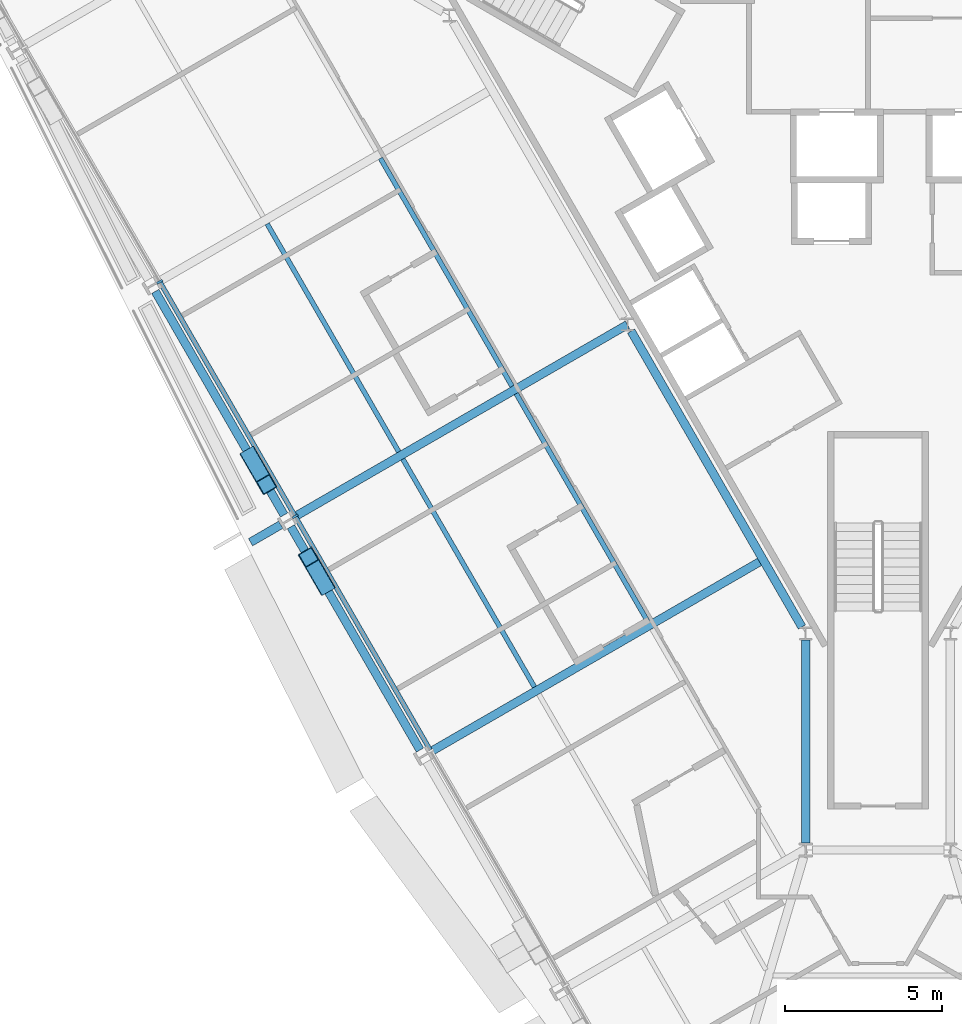
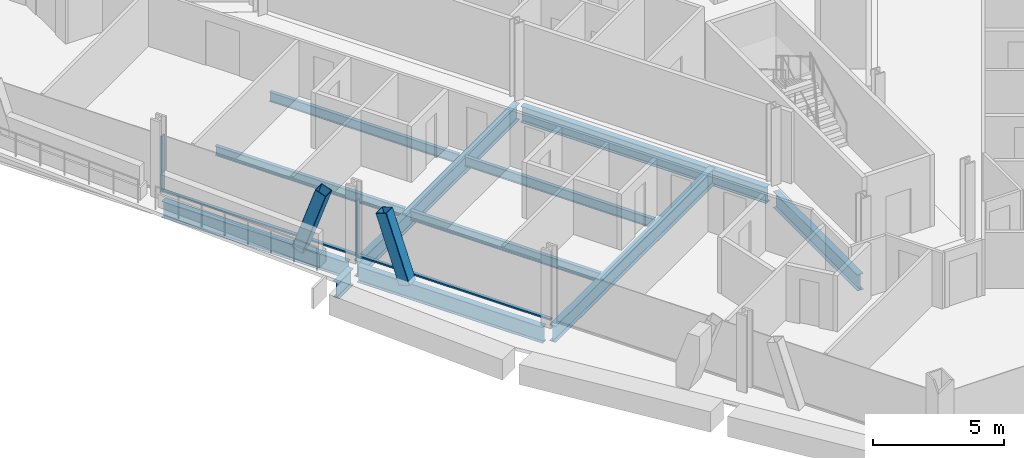
# One storey, part 4 of 18: 11 beams, 6 members, 1 element without a shape of its own.
"""IFC4 building model written with IfcOpenShell, lengths in metres."""

from ifc_helpers import new_model, si_unit, direction, frame, origin, origin_2d, place, context, subcontext, project, spatial, rectangle, hollow_rectangle, i_section, extrude, material, material_profile, profile_set, type_object, element, aggregate, save


model = new_model("IFC4")

# Units and contexts
model_context = context("Model", 3, precision=1e-05, world=origin(), true_north=direction((0.0, 1.0)))
body_context = subcontext(model_context, "Body", "Model", "MODEL_VIEW")
ifc_project = project(units=[si_unit("LENGTHUNIT", "METRE"), si_unit("AREAUNIT", "SQUARE_METRE"), si_unit("VOLUMEUNIT", "CUBIC_METRE"), si_unit("PLANEANGLEUNIT", "RADIAN"), si_unit("MASSUNIT", "GRAM", prefix="KILO")], contexts=[model_context])

# Site, building, storey
site_placement = place(None, origin())
site = spatial("IfcSite", under=ifc_project, at=site_placement, CompositionType="ELEMENT")
building_placement = place(site_placement, origin())
building = spatial("IfcBuilding", under=site, at=building_placement, Name="Verrane Prism Tower", CompositionType="ELEMENT")
storey_placement = place(building_placement, frame((0.0, 0.0, 80.0)))
storey = spatial("IfcBuildingStorey", under=building, at=storey_placement, Name="L18", CompositionType="ELEMENT", Elevation=80.0)

# Beams
ifc_material_1 = material(Name="Steel A992", Category="steel")
ifc_material_profile_1 = material_profile(ifc_material_1, i_section(OverallWidth=0.2666015625, OverallDepth=0.7568359375, WebThickness=0.013916015625, FlangeThickness=0.019287109375, FilletRadius=0.0166015625, at=origin_2d()), Name="W30x108")
ifc_profile_set_1 = profile_set([ifc_material_profile_1], Name="Steel A992")
beam_type_1 = type_object("IfcBeamType", Name="Core ring girder W30x108", PredefinedType="BEAM", material=ifc_profile_set_1)
beam_1_placement = place(storey_placement, frame((-7.849609375, -4.808349609375, -0.62841796875), z_axis=(0.500013103396, -0.866017838403, 0.0), x_axis=(0.866017838403, 0.500013103396, 0.0)))
element("IfcBeam", 1, at=beam_1_placement, inside=storey, type_object=beam_type_1, Name="Core ring girder L18", PredefinedType="BEAM", context=body_context, shape_type="SweptSolid", body=[
    extrude(i_section(OverallWidth=0.2666015625, OverallDepth=0.7568359375, WebThickness=0.013916015625, FlangeThickness=0.019287109375, FilletRadius=0.0166015625, at=origin_2d()), origin(), (0.0, 0.0, 1.0), 10.858154296875),
])
beam_2_placement = place(storey_placement, frame((-2.300048828125, -14.62841796875, -0.62841796875), z_axis=(0.0, -1.0, 0.0), x_axis=(1.0, 0.0, 0.0)))
element("IfcBeam", 2, at=beam_2_placement, inside=storey, type_object=beam_type_1, Name="Core ring girder L18", PredefinedType="BEAM", context=body_context, shape_type="SweptSolid", body=[
    extrude(i_section(OverallWidth=0.2666015625, OverallDepth=0.7568359375, WebThickness=0.013916015625, FlangeThickness=0.019287109375, FilletRadius=0.0166015625, at=origin_2d()), origin(), (0.0, 0.0, 1.0), 6.4443359375),
])

# Members
ifc_material_2 = material(Name="Steel A1085 Grade A", Category="steel")
ifc_material_profile_2 = material_profile(ifc_material_2, hollow_rectangle(XDim=0.508056640625, YDim=0.508056640625, WallThickness=0.025390625, InnerFilletRadius=0.0126953125, OuterFilletRadius=0.0380859375, at=origin_2d()), Name="HSS20x20x1")
ifc_profile_set_2 = profile_set([ifc_material_profile_2], Name="Steel A1085 Grade A")
member_type_1 = type_object("IfcMemberType", Name="Facade brace HSS20x20x1", PredefinedType="BRACE", material=ifc_profile_set_2)
member_1_placement = place(storey_placement, frame((-19.95068359375, -8.790771484375, -0.24267578125), z_axis=(0.161768620723, -0.280772589457, 0.946043163053), x_axis=(0.866473393916, 0.499223254302, 0.0)))
element("IfcMember", 3, at=member_1_placement, inside=storey, type_object=member_type_1, Name="Facade brace SW2 L18", PredefinedType="BRACE", context=body_context, shape_type="SweptSolid", body=[
    extrude(hollow_rectangle(XDim=0.508056640625, YDim=0.508056640625, WallThickness=0.025390625, InnerFilletRadius=0.0126953125, OuterFilletRadius=0.0380859375, at=origin_2d()), origin(), (0.0, 0.0, 1.0), 3.179931640625),
])
member_2_placement = place(storey_placement, frame((-17.58642578125, -12.88671875, -0.24267578125), z_axis=(-0.162156397274, 0.28047221555, 0.946065874624), x_axis=(-0.865723599359, -0.500522376635, 0.0)))
element("IfcMember", 4, at=member_2_placement, inside=storey, type_object=member_type_1, Name="Facade brace SW3 L18", PredefinedType="BRACE", context=body_context, shape_type="SweptSolid", body=[
    extrude(hollow_rectangle(XDim=0.508056640625, YDim=0.508056640625, WallThickness=0.025390625, InnerFilletRadius=0.0126953125, OuterFilletRadius=0.0380859375, at=origin_2d()), origin(), (0.0, 0.0, 1.0), 3.1796875),
])

# Beams
ifc_material_3 = material(Name="Steel A992", Category="steel")
ifc_material_profile_3 = material_profile(ifc_material_3, i_section(OverallWidth=0.15234375, OverallDepth=0.449462890625, WebThickness=0.007568359375, FlangeThickness=0.0107421875, FilletRadius=0.01025390625, at=origin_2d()), Name="W18x35")
ifc_profile_set_3 = profile_set([ifc_material_profile_3], Name="Steel A992")
beam_type_2 = type_object("IfcBeamType", Name="Floor beam W18x35", PredefinedType="BEAM", material=ifc_profile_set_3)
beam_3_placement = place(storey_placement, frame((-11.632568359375, -6.56201171875, -0.384765625), z_axis=(-0.499990225416, 0.86603104707, 0.0), x_axis=(-0.86603104707, -0.499990225416, 0.0)))
element("IfcBeam", 5, at=beam_3_placement, inside=storey, type_object=beam_type_2, Name="Floor beam L18", PredefinedType="BEAM", context=body_context, shape_type="SweptSolid", body=[
    extrude(i_section(OverallWidth=0.15234375, OverallDepth=0.449462890625, WebThickness=0.007568359375, FlangeThickness=0.0107421875, FilletRadius=0.01025390625, at=origin_2d()), origin(), (0.0, 0.0, 1.0), 8.365966796875),
])
beam_4_placement = place(storey_placement, frame((-15.234619140625, -8.64306640625, -0.384765625), z_axis=(-0.500002862074, 0.866023751359, 0.0), x_axis=(-0.866023751359, -0.500002862074, 0.0)))
element("IfcBeam", 6, at=beam_4_placement, inside=storey, type_object=beam_type_2, Name="Floor beam L18", PredefinedType="BEAM", context=body_context, shape_type="SweptSolid", body=[
    extrude(i_section(OverallWidth=0.15234375, OverallDepth=0.449462890625, WebThickness=0.007568359375, FlangeThickness=0.0107421875, FilletRadius=0.01025390625, at=origin_2d()), origin(), (0.0, 0.0, 1.0), 8.36572265625),
])
beam_5_placement = place(storey_placement, frame((-7.318603515625, -14.0419921875, -0.384765625), z_axis=(-0.499989320658, 0.866031569417, 0.0), x_axis=(-0.866031569417, -0.499989320658, 0.0)))
element("IfcBeam", 7, at=beam_5_placement, inside=storey, type_object=beam_type_2, Name="Floor beam L18", PredefinedType="BEAM", context=body_context, shape_type="SweptSolid", body=[
    extrude(i_section(OverallWidth=0.15234375, OverallDepth=0.449462890625, WebThickness=0.007568359375, FlangeThickness=0.0107421875, FilletRadius=0.01025390625, at=origin_2d()), origin(), (0.0, 0.0, 1.0), 8.367919921875),
])
beam_6_placement = place(storey_placement, frame((-10.92041015625, -16.119873046875, -0.384765625), z_axis=(-0.499984359078, 0.866034433887, 0.0), x_axis=(-0.866034433887, -0.499984359078, 0.0)))
element("IfcBeam", 8, at=beam_6_placement, inside=storey, type_object=beam_type_2, Name="Floor beam L18", PredefinedType="BEAM", context=body_context, shape_type="SweptSolid", body=[
    extrude(i_section(OverallWidth=0.15234375, OverallDepth=0.449462890625, WebThickness=0.007568359375, FlangeThickness=0.0107421875, FilletRadius=0.01025390625, at=origin_2d()), origin(), (0.0, 0.0, 1.0), 8.364990234375),
])

# Curtain wall, members
ifc_material_4 = material(Name="Aluminium framed insulated glazing", Category="aluminium")
curtain_wall_type = type_object("IfcCurtainWallType", Name="Curtain wall CW-A 8400 module", PredefinedType="NOTDEFINED", material=ifc_material_4)
curtain_wall_placement = place(storey_placement, origin())
curtain_wall = element("IfcCurtainWall", 9, at=curtain_wall_placement, inside=storey, type_object=curtain_wall_type, Name="Glazed curtain wall south-west face L18", PredefinedType="NOTDEFINED")
ifc_material_5 = material(Name="Aluminium alloy 6063-T6", Category="aluminium")
ifc_material_profile_4 = material_profile(ifc_material_5, rectangle(XDim=0.199951171875, YDim=0.070068359375, at=origin_2d()), Name="Mullion 70x200 aluminium")
ifc_profile_set_4 = profile_set([ifc_material_profile_4], Name="Aluminium alloy 6063-T6")
member_type_2 = type_object("IfcMemberType", Name="Mullion 70x200 aluminium", PredefinedType="MULLION", material=ifc_profile_set_4)
member_3_placement = place(storey_placement, frame((-22.828857421875, -3.2412109375, 0.0), z_axis=(0.0, 0.0, 1.0), x_axis=(0.866025845387, 0.499999235121, 0.0)))
member_3 = element("IfcMember", 10, at=member_3_placement, type_object=member_type_2, Name="CW17.4 mullion 3", PredefinedType="MULLION", context=body_context, shape_type="SweptSolid", body=[
    extrude(rectangle(XDim=0.199951171875, YDim=0.070068359375, at=origin_2d()), origin(), (0.0, 0.0, 1.0), 2.61279296875),
])
member_4_placement = place(storey_placement, frame((-18.525146484375, -10.695556640625, 0.0), z_axis=(0.0, 0.0, 1.0), x_axis=(0.866025845387, 0.499999235121, 0.0)))
member_4 = element("IfcMember", 11, at=member_4_placement, type_object=member_type_2, Name="CW17.4 mullion 4", PredefinedType="MULLION", context=body_context, shape_type="SweptSolid", body=[
    extrude(rectangle(XDim=0.199951171875, YDim=0.070068359375, at=origin_2d()), origin(), (0.0, 0.0, 1.0), 2.61279296875),
])

# Beams
ifc_material_6 = material(Name="Steel A992", Category="steel")
ifc_material_profile_5 = material_profile(ifc_material_6, i_section(OverallWidth=0.2666015625, OverallDepth=0.76708984375, WebThickness=0.014892578125, FlangeThickness=0.023681640625, FilletRadius=0.0166015625, at=origin_2d()), Name="W30x124")
ifc_profile_set_5 = profile_set([ifc_material_profile_5], Name="Steel A992")
beam_type_3 = type_object("IfcBeamType", Name="Radial girder W30x124", PredefinedType="BEAM", material=ifc_profile_set_5)
beam_7_placement = place(storey_placement, frame((-18.554443359375, -10.715576171875, -0.603515625), z_axis=(0.86602594319, 0.49999906572, 0.0), x_axis=(-0.49999906572, 0.86602594319, 0.0)))
element("IfcBeam", 12, at=beam_7_placement, inside=storey, type_object=beam_type_3, Name="Radial girder L18", PredefinedType="BEAM", context=body_context, shape_type="SweptSolid", body=[
    extrude(i_section(OverallWidth=0.2666015625, OverallDepth=0.76708984375, WebThickness=0.014892578125, FlangeThickness=0.023681640625, FilletRadius=0.0166015625, at=origin_2d()), origin(), (0.0, 0.0, 1.0), 12.22412109375),
])
beam_8_placement = place(storey_placement, frame((-14.234375, -18.185546875, -0.603515625), z_axis=(0.866019871926, 0.500009581338, 0.0), x_axis=(-0.500009581338, 0.866019871926, 0.0)))
element("IfcBeam", 13, at=beam_8_placement, inside=storey, type_object=beam_type_3, Name="Radial girder L18", PredefinedType="BEAM", context=body_context, shape_type="SweptSolid", body=[
    extrude(i_section(OverallWidth=0.2666015625, OverallDepth=0.76708984375, WebThickness=0.014892578125, FlangeThickness=0.023681640625, FilletRadius=0.0166015625, at=origin_2d()), origin(), (0.0, 0.0, 1.0), 12.218017578125),
])
beam_9_placement = place(storey_placement, frame((-18.982177734375, -10.96240234375, -0.603515625), z_axis=(-0.865977099567, -0.500083656027, 0.0), x_axis=(0.500083656027, -0.865977099567, 0.0)))
element("IfcBeam", 14, at=beam_9_placement, inside=storey, type_object=beam_type_3, Name="Cantilever girder L18", PredefinedType="BEAM", context=body_context, shape_type="SweptSolid", body=[
    extrude(i_section(OverallWidth=0.2666015625, OverallDepth=0.76708984375, WebThickness=0.014892578125, FlangeThickness=0.023681640625, FilletRadius=0.0166015625, at=origin_2d()), origin(), (0.0, 0.0, 1.0), 1.111572265625),
])
ifc_material_7 = material(Name="Steel A992", Category="steel")
ifc_material_profile_6 = material_profile(ifc_material_7, i_section(OverallWidth=0.2666015625, OverallDepth=0.7568359375, WebThickness=0.013916015625, FlangeThickness=0.019287109375, FilletRadius=0.0166015625, at=origin_2d()), Name="W30x108")
ifc_profile_set_6 = profile_set([ifc_material_profile_6], Name="Steel A992")
beam_type_4 = type_object("IfcBeamType", Name="Spandrel beam W30x108", PredefinedType="SPANDREL", material=ifc_profile_set_6)
beam_10_placement = place(storey_placement, frame((-22.97216796875, -3.547119140625, -0.53857421875), z_axis=(0.499267942203, -0.866447645209, 0.0), x_axis=(0.866447645209, 0.499267942203, 0.0)))
element("IfcBeam", 15, at=beam_10_placement, inside=storey, type_object=beam_type_4, Name="Spandrel beam L18", PredefinedType="SPANDREL", context=body_context, shape_type="SweptSolid", body=[
    extrude(i_section(OverallWidth=0.2666015625, OverallDepth=0.7568359375, WebThickness=0.013916015625, FlangeThickness=0.019287109375, FilletRadius=0.0166015625, at=origin_2d()), origin(), (0.0, 0.0, 1.0), 8.200927734375),
])
beam_11_placement = place(storey_placement, frame((-18.661865234375, -11.02685546875, -0.53857421875), z_axis=(0.500619438317, -0.865667475408, 0.0), x_axis=(0.865667475408, 0.500619438317, 0.0)))
element("IfcBeam", 16, at=beam_11_placement, inside=storey, type_object=beam_type_4, Name="Spandrel beam L18", PredefinedType="SPANDREL", context=body_context, shape_type="SweptSolid", body=[
    extrude(i_section(OverallWidth=0.2666015625, OverallDepth=0.7568359375, WebThickness=0.013916015625, FlangeThickness=0.019287109375, FilletRadius=0.0166015625, at=origin_2d()), origin(), (0.0, 0.0, 1.0), 8.197265625),
])

# Member
ifc_material_8 = material(Name="Aluminium alloy 6063-T6", Category="aluminium")
ifc_material_profile_7 = material_profile(ifc_material_8, rectangle(XDim=0.14990234375, YDim=0.070068359375, at=origin_2d()), Name="Transom 70x150 aluminium")
ifc_profile_set_7 = profile_set([ifc_material_profile_7], Name="Aluminium alloy 6063-T6")
member_type_3 = type_object("IfcMemberType", Name="Transom 70x150 aluminium", PredefinedType="USERDEFINED", material=ifc_profile_set_7)
member_5_placement = place(storey_placement, frame((-22.811279296875, -3.271484375, 0.034912109375), z_axis=(0.499998865407, -0.866026058841, 0.0), x_axis=(0.866026058841, 0.499998865407, 0.0)))
member_5 = element("IfcMember", 17, at=member_5_placement, type_object=member_type_3, Name="CW17.4 transom 3", ObjectType="TRANSOM", PredefinedType="USERDEFINED", context=body_context, shape_type="SweptSolid", body=[
    extrude(rectangle(XDim=0.14990234375, YDim=0.070068359375, at=origin_2d()), origin(), (0.0, 0.0, 1.0), 8.53759765625),
])

member_6_placement = place(storey_placement, frame((-18.507568359375, -10.725830078125, 0.034912109375), z_axis=(0.50001124802, -0.866018909639, 0.0), x_axis=(0.866018909639, 0.50001124802, 0.0)))
member_6 = element("IfcMember", 18, at=member_6_placement, type_object=member_type_3, Name="CW17.4 transom 4", ObjectType="TRANSOM", PredefinedType="USERDEFINED", context=body_context, shape_type="SweptSolid", body=[
    extrude(rectangle(XDim=0.14990234375, YDim=0.070068359375, at=origin_2d()), origin(), (0.0, 0.0, 1.0), 8.537353515625),
])

aggregate(curtain_wall, [member_3, member_4, member_5, member_6])

save(model, "model.ifc")
